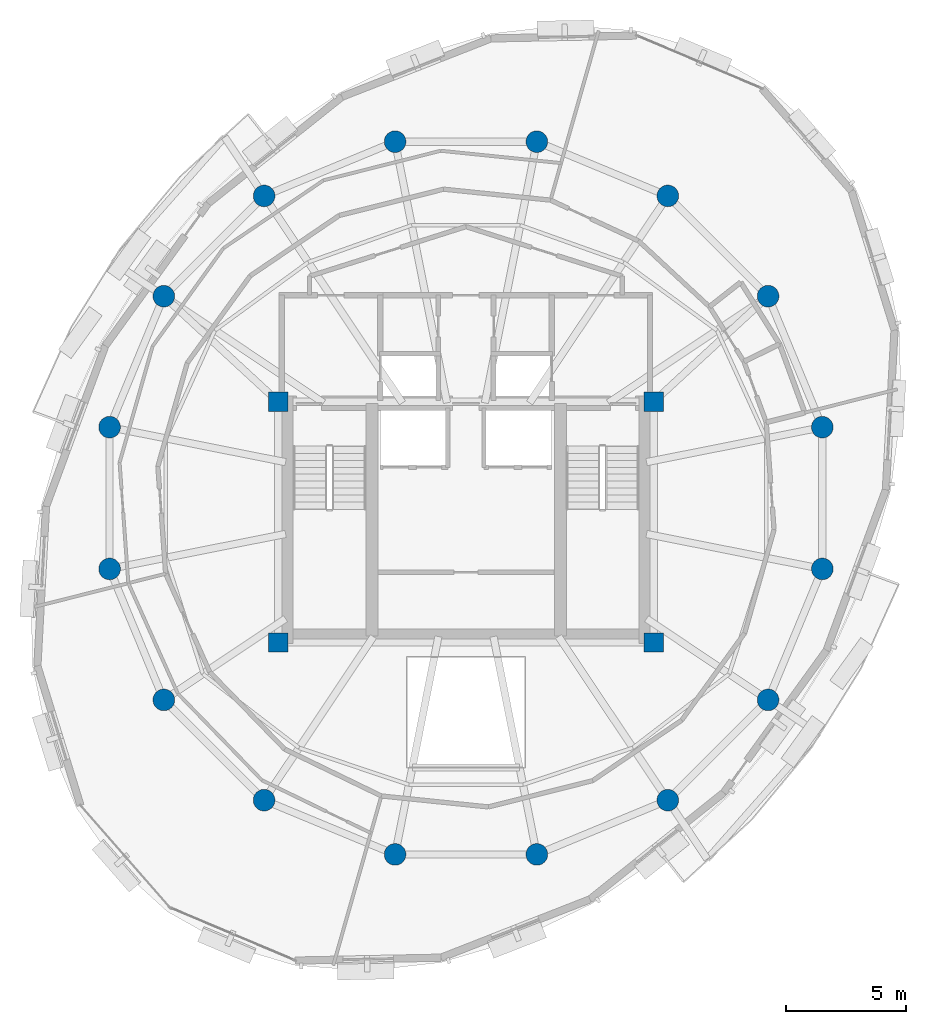
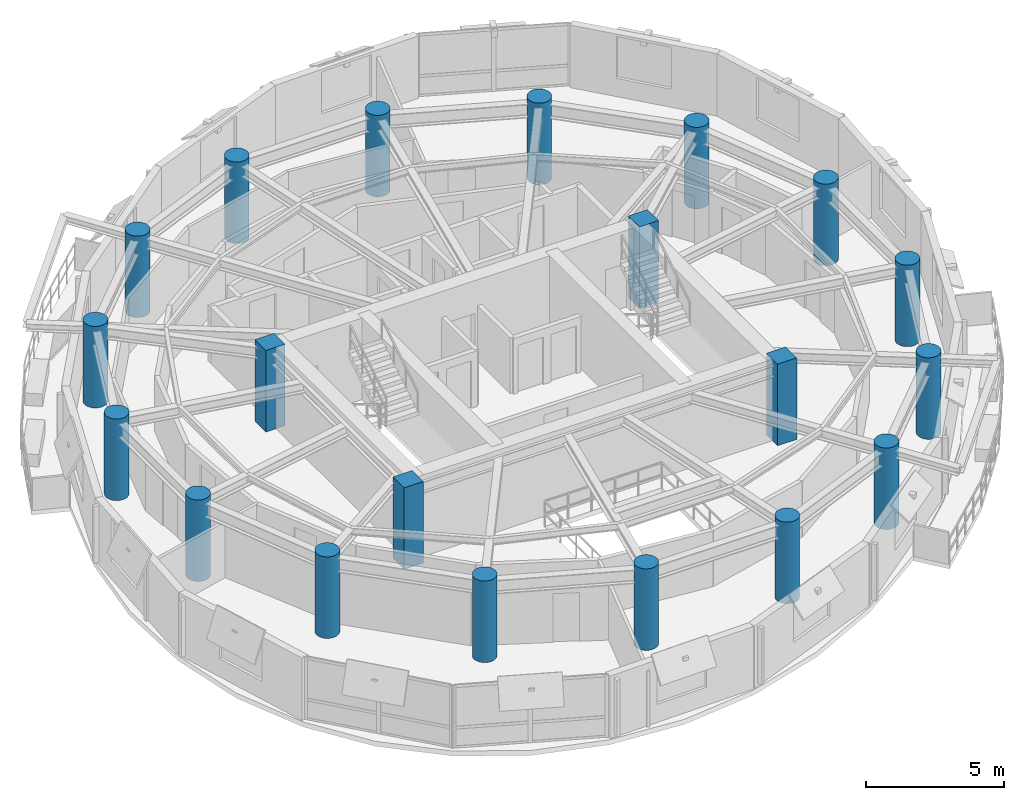
# One storey, part 1 of 11: 20 columns.
"""IFC4 building model written with IfcOpenShell, lengths in metres."""

from ifc_helpers import new_model, si_unit, direction, frame, origin, origin_2d, place, context, subcontext, project, spatial, rectangle, circle, extrude, material, material_profile, profile_set, type_object, element, save


model = new_model("IFC4")

# Units and contexts
model_context = context("Model", 3, precision=1e-05, world=origin(), true_north=direction((0.0, 1.0)))
body_context = subcontext(model_context, "Body", "Model", "MODEL_VIEW")
ifc_project = project(units=[si_unit("LENGTHUNIT", "METRE"), si_unit("AREAUNIT", "SQUARE_METRE"), si_unit("VOLUMEUNIT", "CUBIC_METRE"), si_unit("PLANEANGLEUNIT", "RADIAN"), si_unit("MASSUNIT", "GRAM", prefix="KILO"), si_unit("THERMODYNAMICTEMPERATUREUNIT", "KELVIN"), si_unit("POWERUNIT", "WATT")], contexts=[model_context])

# Site, building, storey
site_placement = place(None, origin())
site = spatial("IfcSite", under=ifc_project, at=site_placement, CompositionType="ELEMENT")
building_placement = place(site_placement, origin())
building = spatial("IfcBuilding", under=site, at=building_placement, Name="Ocrelia Relay Tower", CompositionType="ELEMENT")
storey_placement = place(building_placement, frame((0.0, 0.0, 255.60009765625)))
storey = spatial("IfcBuildingStorey", under=building, at=storey_placement, Name="L63", CompositionType="ELEMENT", Elevation=255.60009765625)

# Columns
ifc_material_1 = material(Name="Concrete C50/60", Category="concrete")
ifc_material_profile_1 = material_profile(ifc_material_1, circle(Radius=0.449951171875, at=origin_2d()), Name="RC-CIR-900")
ifc_profile_set_1 = profile_set([ifc_material_profile_1], Name="Concrete C50/60")
column_type_1 = type_object("IfcColumnType", Name="COL-CT-900", PredefinedType="COLUMN", material=ifc_profile_set_1)
for number, where, z_axis, x_axis, name in (
    (1, (48.809814453125, 28.94580078125, 0.0), (0.0, 0.0, 1.0), (1.0, 0.0, 0.0), "L63 Perimeter Ring Column C01"),
    (2, (46.55517578125, 34.38916015625, 0.0), (0.0, 0.0, 1.0), (1.0, 0.0, 0.0), "L63 Perimeter Ring Column C02"),
    (3, (42.38916015625, 38.55517578125, 0.0), (0.0, 0.0, 1.0), (1.0, 0.0, 0.0), "L63 Perimeter Ring Column C03"),
    (4, (36.94580078125, 40.809814453125, 0.0), (0.0, 0.0, 1.0), (1.0, 0.0, 0.0), "L63 Perimeter Ring Column C04"),
    (5, (31.05419921875, 40.809814453125, 0.0), (0.0, 0.0, 1.0), (1.0, 0.0, 0.0), "L63 Perimeter Ring Column C05"),
    (6, (25.61083984375, 38.55517578125, 0.0), (0.0, 0.0, 1.0), (1.0, 0.0, 0.0), "L63 Perimeter Ring Column C06"),
    (7, (21.44482421875, 34.38916015625, 0.0), (0.0, 0.0, 1.0), (1.0, 0.0, 0.0), "L63 Perimeter Ring Column C07"),
    (8, (19.190185546875, 28.94580078125, 0.0), (0.0, 0.0, 1.0), (1.0, 0.0, 0.0), "L63 Perimeter Ring Column C08"),
    (9, (19.190185546875, 23.05419921875, 0.0), (0.0, 0.0, 1.0), (1.0, 0.0, 0.0), "L63 Perimeter Ring Column C09"),
    (10, (21.44482421875, 17.61083984375, 0.0), (0.0, 0.0, 1.0), (1.0, 0.0, 0.0), "L63 Perimeter Ring Column C10"),
    (11, (25.61083984375, 13.44482421875, 0.0), (0.0, 0.0, 1.0), (1.0, 0.0, 0.0), "L63 Perimeter Ring Column C11"),
    (12, (31.05419921875, 11.190185546875, 0.0), (0.0, 0.0, 1.0), (1.0, 0.0, 0.0), "L63 Perimeter Ring Column C12"),
    (13, (36.94580078125, 11.190185546875, 0.0), (0.0, 0.0, 1.0), (1.0, 0.0, 0.0), "L63 Perimeter Ring Column C13"),
    (14, (42.38916015625, 13.44482421875, 0.0), (0.0, 0.0, 1.0), (1.0, 0.0, 0.0), "L63 Perimeter Ring Column C14"),
    (15, (46.55517578125, 17.61083984375, 0.0), (0.0, 0.0, 1.0), (1.0, 0.0, 0.0), "L63 Perimeter Ring Column C15"),
    (16, (48.809814453125, 23.05419921875, 0.0), (0.0, 0.0, 1.0), (1.0, 0.0, 0.0), "L63 Perimeter Ring Column C16"),
):
    element("IfcColumn", number, at=place(storey_placement, frame(where, z_axis=z_axis, x_axis=x_axis)), inside=storey, type_object=column_type_1, Name=name, PredefinedType="COLUMN", context=body_context, shape_type="SweptSolid", body=[
        extrude(circle(Radius=0.449951171875, at=origin_2d()), origin(), (0.0, 0.0, 1.0), 3.599853515625),
    ])
ifc_material_2 = material(Name="Concrete C60/75", Category="concrete")
ifc_material_profile_2 = material_profile(ifc_material_2, rectangle(XDim=0.800048828125, YDim=0.800048828125, at=origin_2d()), Name="RC-COL-800x800")
ifc_profile_set_2 = profile_set([ifc_material_profile_2], Name="Concrete C60/75")
column_type_2 = type_object("IfcColumnType", Name="COL-PILASTER-800", PredefinedType="PILASTER", material=ifc_profile_set_2)
for number, where, z_axis, x_axis, name in (
    (17, (26.199951171875, 20.0, 0.0), (0.0, 0.0, 1.0), (1.0, 0.0, 0.0), "L63 Core Corner Pilaster SW"),
    (18, (41.800048828125, 20.0, 0.0), (0.0, 0.0, 1.0), (1.0, 0.0, 0.0), "L63 Core Corner Pilaster SE"),
    (19, (26.199951171875, 30.0, 0.0), (0.0, 0.0, 1.0), (1.0, 0.0, 0.0), "L63 Core Corner Pilaster NW"),
    (20, (41.800048828125, 30.0, 0.0), (0.0, 0.0, 1.0), (1.0, 0.0, 0.0), "L63 Core Corner Pilaster NE"),
):
    element("IfcColumn", number, at=place(storey_placement, frame(where, z_axis=z_axis, x_axis=x_axis)), inside=storey, type_object=column_type_2, Name=name, PredefinedType="PILASTER", context=body_context, shape_type="SweptSolid", body=[
        extrude(rectangle(XDim=0.800048828125, YDim=0.800048828125, at=origin_2d()), origin(), (0.0, 0.0, 1.0), 3.599853515625),
    ])

save(model, "model.ifc")
